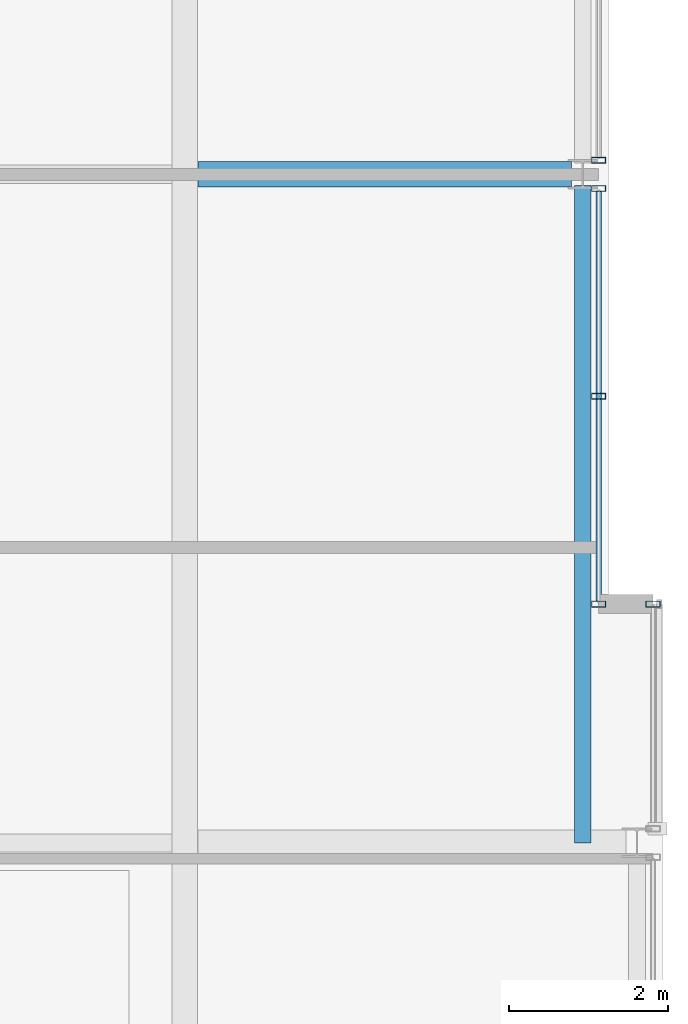
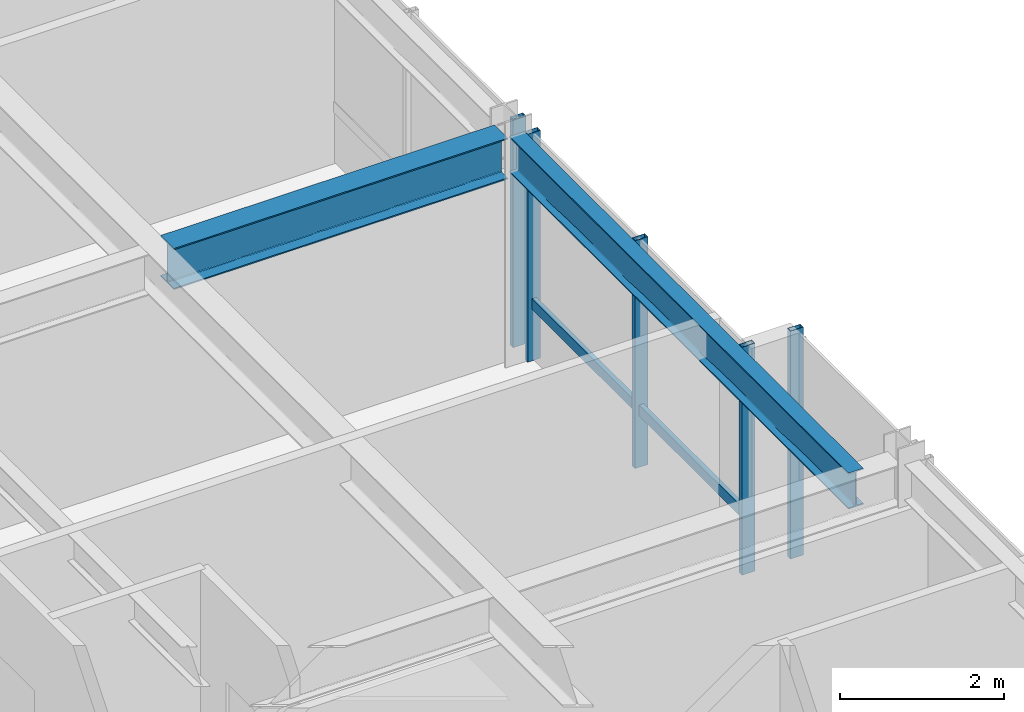
# One storey, part 18 of 33: 6 members, 2 beams, 3 elements without a shape of their own.
"""IFC4 building model written with IfcOpenShell, lengths in metres."""

from ifc_helpers import new_model, si_unit, direction, frame, origin, origin_2d, place, context, subcontext, project, spatial, hollow_rectangle, i_section, extrude, material, layer, layer_set, material_profile, profile_set, type_object, element, aggregate, save


model = new_model("IFC4")

# Units and contexts
model_context = context("Model", 3, precision=1e-05, world=origin(), true_north=direction((0.0, 1.0)))
body_context = subcontext(model_context, "Body", "Model", "MODEL_VIEW")
ifc_project = project(units=[si_unit("LENGTHUNIT", "METRE"), si_unit("AREAUNIT", "SQUARE_METRE"), si_unit("VOLUMEUNIT", "CUBIC_METRE"), si_unit("PLANEANGLEUNIT", "RADIAN"), si_unit("MASSUNIT", "GRAM", prefix="KILO")], contexts=[model_context])

# Site, building, storey
site_placement = place(None, origin())
site = spatial("IfcSite", under=ifc_project, at=site_placement, CompositionType="ELEMENT")
building_placement = place(site_placement, origin())
building = spatial("IfcBuilding", under=site, at=building_placement, Name="Drelvath Grand Hotel", CompositionType="ELEMENT")
storey_placement = place(building_placement, frame((0.0, 0.0, 268.64990234375)))
storey = spatial("IfcBuildingStorey", under=building, at=storey_placement, Name="L70", CompositionType="ELEMENT", Elevation=268.64990234375)

# Curtain wall, members
ifc_material_1 = material(Name="Platinum-Mist Anodised Aluminium Frame", Category="aluminium")
ifc_layer = layer(ifc_material_1, 0.199951171875)
ifc_layer_set = layer_set([ifc_layer], Name="Platinum-Mist Anodised Aluminium Frame")
curtain_wall_type = type_object("IfcCurtainWallType", Name="Stick Curtain Wall CW-05 Platinum Mist High-Rise", PredefinedType="NOTDEFINED", material=ifc_layer_set)
curtain_wall_1_placement = place(storey_placement, origin())
curtain_wall_1 = element("IfcCurtainWall", 1, at=curtain_wall_1_placement, inside=storey, type_object=curtain_wall_type, Name="L70 CW-05 Curtain Wall CW05-L70-EM1", PredefinedType="NOTDEFINED")
ifc_material_profile_1 = material_profile(ifc_material_1, hollow_rectangle(XDim=0.06494140625, YDim=0.159912109375, WallThickness=0.00390625, at=origin_2d()), Name="HSS160X65X4")
ifc_profile_set_1 = profile_set([ifc_material_profile_1], Name="Platinum-Mist Anodised Aluminium Frame")
member_type_1 = type_object("IfcMemberType", Name="Curtain Wall Horizontal Transom CW-05 HSS160X65X4", PredefinedType="USERDEFINED", material=ifc_profile_set_1)
member_1_placement = place(storey_placement, frame((21.39990234375, 26.78173828125, 0.84765625), z_axis=(0.0, -1.0, 0.0), x_axis=(1.0, 0.0, 0.0)))
member_1 = element("IfcMember", 2, at=member_1_placement, type_object=member_type_1, Name="CW05-L70-EM1 Sill Transom", ObjectType="TRANSOM", PredefinedType="USERDEFINED", context=body_context, shape_type="SweptSolid", body=[
    extrude(hollow_rectangle(XDim=0.06494140625, YDim=0.159912109375, WallThickness=0.00390625, at=origin_2d()), origin(), (0.0, 0.0, 1.0), 5.141845703125),
])
ifc_material_profile_2 = material_profile(ifc_material_1, hollow_rectangle(XDim=0.074951171875, YDim=0.179931640625, WallThickness=0.0048828125, at=origin_2d()), Name="HSS180X75X5")
ifc_profile_set_2 = profile_set([ifc_material_profile_2], Name="Platinum-Mist Anodised Aluminium Frame")
member_type_2 = type_object("IfcMemberType", Name="Curtain Wall Vertical Mullion CW-05 HSS180X75X5", PredefinedType="MULLION", material=ifc_profile_set_2)
member_2_placement = place(storey_placement, frame((21.39990234375, 26.82177734375, 0.0), z_axis=(0.0, 0.0, 1.0), x_axis=(0.0, 1.0, 0.0)))
member_2 = element("IfcMember", 3, at=member_2_placement, type_object=member_type_2, Name="CW05-L70-EM1 Mullion 1", PredefinedType="MULLION", context=body_context, shape_type="SweptSolid", body=[
    extrude(hollow_rectangle(XDim=0.074951171875, YDim=0.179931640625, WallThickness=0.0048828125, at=origin_2d()), origin(), (0.0, 0.0, 1.0), 3.39013671875),
])
member_3_placement = place(storey_placement, frame((21.39990234375, 24.2109375, 0.0), z_axis=(0.0, 0.0, 1.0), x_axis=(0.0, 1.0, 0.0)))
member_3 = element("IfcMember", 4, at=member_3_placement, type_object=member_type_2, Name="CW05-L70-EM1 Mullion 2", PredefinedType="MULLION", context=body_context, shape_type="SweptSolid", body=[
    extrude(hollow_rectangle(XDim=0.074951171875, YDim=0.179931640625, WallThickness=0.0048828125, at=origin_2d()), origin(), (0.0, 0.0, 1.0), 3.39013671875),
])
member_4_placement = place(storey_placement, frame((21.39990234375, 21.60009765625, 0.0), z_axis=(0.0, 0.0, 1.0), x_axis=(0.0, 1.0, 0.0)))
member_4 = element("IfcMember", 5, at=member_4_placement, type_object=member_type_2, Name="CW05-L70-EM1 Mullion 3", PredefinedType="MULLION", context=body_context, shape_type="SweptSolid", body=[
    extrude(hollow_rectangle(XDim=0.074951171875, YDim=0.179931640625, WallThickness=0.0048828125, at=origin_2d()), origin(), (0.0, 0.0, 1.0), 3.39013671875),
])
aggregate(curtain_wall_1, [member_2, member_3, member_4, member_1])

# Curtain wall, member
curtain_wall_2_placement = place(storey_placement, origin())
curtain_wall_2 = element("IfcCurtainWall", 6, at=curtain_wall_2_placement, inside=storey, type_object=curtain_wall_type, Name="L70 CW-05 Curtain Wall CW05-L70-EM2", PredefinedType="NOTDEFINED")
member_5_placement = place(storey_placement, frame((21.39990234375, 27.17822265625, 0.0), z_axis=(0.0, 0.0, 1.0), x_axis=(0.0, 1.0, 0.0)))
member_5 = element("IfcMember", 7, at=member_5_placement, type_object=member_type_2, Name="CW05-L70-EM2 Mullion 3", PredefinedType="MULLION", context=body_context, shape_type="SweptSolid", body=[
    extrude(hollow_rectangle(XDim=0.074951171875, YDim=0.179931640625, WallThickness=0.0048828125, at=origin_2d()), origin(), (0.0, 0.0, 1.0), 3.39013671875),
])
aggregate(curtain_wall_2, [member_5])

curtain_wall_3_placement = place(storey_placement, origin())
curtain_wall_3 = element("IfcCurtainWall", 8, at=curtain_wall_3_placement, inside=storey, type_object=curtain_wall_type, Name="L70 CW-05 Curtain Wall CW05-L70-ES2", PredefinedType="NOTDEFINED")
member_6_placement = place(storey_placement, frame((22.080078125, 21.60009765625, 0.0), z_axis=(0.0, 0.0, 1.0), x_axis=(0.0, 1.0, 0.0)))
member_6 = element("IfcMember", 9, at=member_6_placement, type_object=member_type_2, Name="CW05-L70-ES2 Mullion 1", PredefinedType="MULLION", context=body_context, shape_type="SweptSolid", body=[
    extrude(hollow_rectangle(XDim=0.074951171875, YDim=0.179931640625, WallThickness=0.0048828125, at=origin_2d()), origin(), (0.0, 0.0, 1.0), 3.39013671875),
])
aggregate(curtain_wall_3, [member_6])

# Beams
ifc_material_2 = material(Name="Steel ASTM A992 Gr 50", Category="steel")
ifc_material_profile_3 = material_profile(ifc_material_2, i_section(OverallWidth=0.210205078125, OverallDepth=0.53662109375, WebThickness=0.010986328125, FlangeThickness=0.017333984375, FilletRadius=0.01806640625, at=origin_2d()), Name="W21X68")
ifc_profile_set_3 = profile_set([ifc_material_profile_3], Name="Steel ASTM A992 Gr 50")
beam_type_1 = type_object("IfcBeamType", Name="Perimeter Spandrel Beam W21X68", PredefinedType="SPANDREL", material=ifc_profile_set_3)
beam_1_placement = place(storey_placement, frame((21.199951171875, 18.60009765625, 3.121826171875), z_axis=(0.0, 1.0, 0.0), x_axis=(-1.0, 0.0, 0.0)))
element("IfcBeam", 10, at=beam_1_placement, inside=storey, type_object=beam_type_1, Name="L70 Spandrel East Mid S", PredefinedType="SPANDREL", context=body_context, shape_type="SweptSolid", body=[
    extrude(i_section(OverallWidth=0.210205078125, OverallDepth=0.53662109375, WebThickness=0.010986328125, FlangeThickness=0.017333984375, FilletRadius=0.01806640625, at=origin_2d()), origin(), (0.0, 0.0, 1.0), 8.260009765625),
])
ifc_material_profile_4 = material_profile(ifc_material_2, i_section(OverallWidth=0.323974609375, OverallDepth=0.611083984375, WebThickness=0.0126953125, FlangeThickness=0.01904296875, FilletRadius=0.02197265625, at=origin_2d()), Name="W24X104")
ifc_profile_set_4 = profile_set([ifc_material_profile_4], Name="Steel ASTM A992 Gr 50")
beam_type_2 = type_object("IfcBeamType", Name="Primary Floor Girder W24X104", PredefinedType="BEAM", material=ifc_profile_set_4)
beam_2_placement = place(storey_placement, frame((16.362060546875, 27.0, 3.084716796875), z_axis=(1.0, 0.0, 0.0), x_axis=(0.0, 1.0, 0.0)))
element("IfcBeam", 11, at=beam_2_placement, inside=storey, type_object=beam_type_2, Name="L70 East Wing Girder E", PredefinedType="BEAM", context=body_context, shape_type="SweptSolid", body=[
    extrude(i_section(OverallWidth=0.323974609375, OverallDepth=0.611083984375, WebThickness=0.0126953125, FlangeThickness=0.01904296875, FilletRadius=0.02197265625, at=origin_2d()), origin(), (0.0, 0.0, 1.0), 4.697998046875),
])

save(model, "model.ifc")
